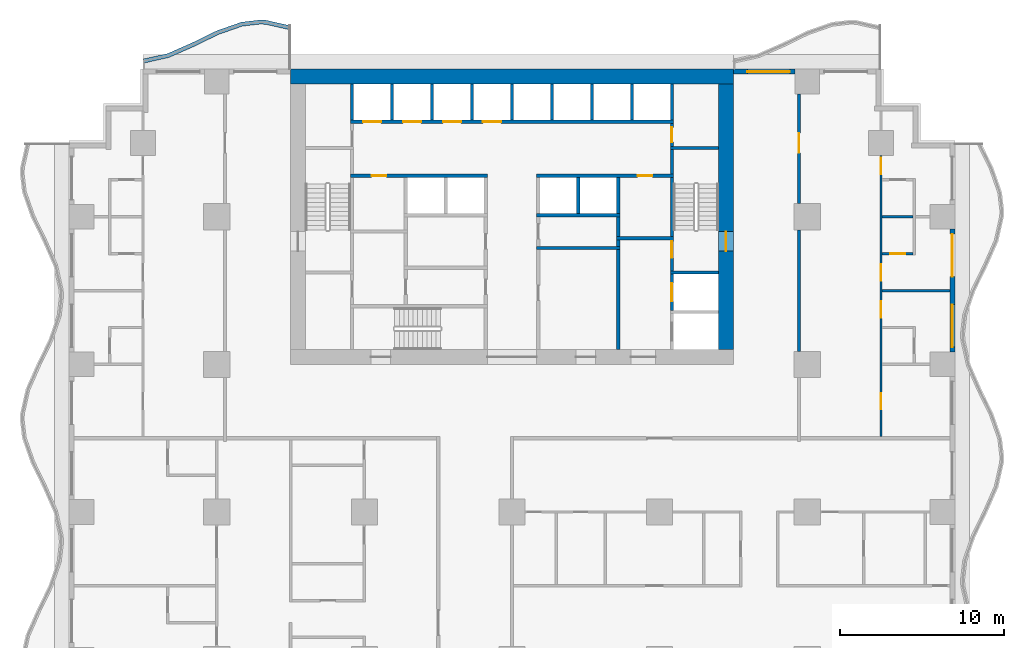
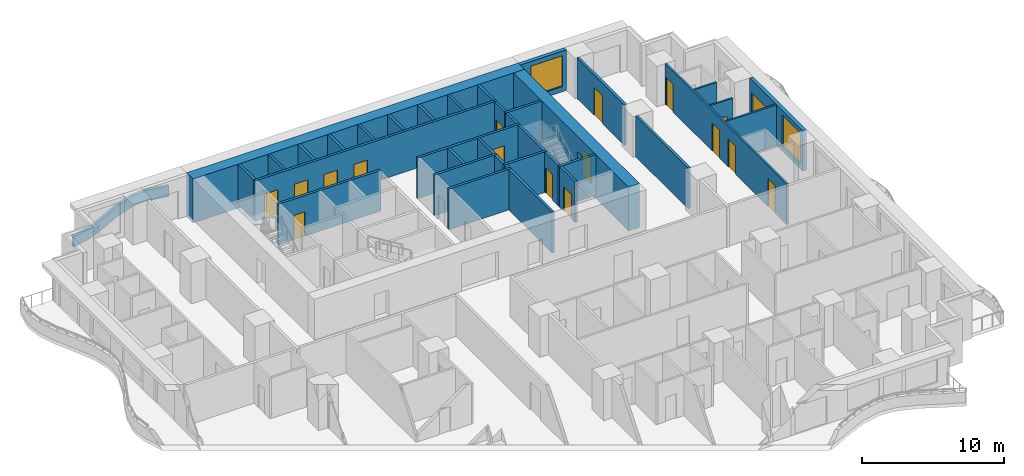
# One storey, part 6 of 14: 38 walls, 17 doors, 2 windows, 19 openings.
"""IFC4 building model written with IfcOpenShell, lengths in metres."""

from ifc_helpers import new_model, si_unit, direction, frame, frame_2d, origin, place, context, subcontext, project, spatial, polyline, rectangle, outline, extrude, material, layer, layer_set, type_object, element, fill, save


model = new_model("IFC4")

# Units and contexts
model_context = context("Model", 3, precision=1e-05, world=origin(), true_north=direction((0.0, 1.0)))
body_context = subcontext(model_context, "Body", "Model", "MODEL_VIEW")
ifc_project = project(units=[si_unit("LENGTHUNIT", "METRE"), si_unit("AREAUNIT", "SQUARE_METRE"), si_unit("VOLUMEUNIT", "CUBIC_METRE"), si_unit("PLANEANGLEUNIT", "RADIAN"), si_unit("MASSUNIT", "GRAM", prefix="KILO")], contexts=[model_context])

# Site, building, storey
site_placement = place(None, origin())
site = spatial("IfcSite", under=ifc_project, at=site_placement, CompositionType="ELEMENT")
building_placement = place(site_placement, origin())
building = spatial("IfcBuilding", under=site, at=building_placement, Name="Orbiselva Terraces", CompositionType="ELEMENT")
storey_placement = place(building_placement, frame((0.0, 0.0, 18.8)))
storey = spatial("IfcBuildingStorey", under=building, at=storey_placement, Name="L04", CompositionType="ELEMENT", Elevation=18.8)

# Wall, opening, door
ifc_material_1 = material(Name="Concrete C80/95", Category="concrete")
ifc_layer_1 = layer(ifc_material_1, 0.9)
ifc_layer_set_1 = layer_set([ifc_layer_1], Name="Concrete C80/95")
wall_type_1 = type_object("IfcWallType", Name="CORE WALL 900", PredefinedType="SHEAR", material=ifc_layer_set_1)
wall_1_placement = place(storey_placement, frame((13.05, 5.4, -0.3), z_axis=(0.0, 0.0, 1.0), x_axis=(0.0, 1.0, 0.0)))
wall_1 = element("IfcWall", 1, at=wall_1_placement, inside=storey, type_object=wall_type_1, Name="Core wall L04 east", PredefinedType="SHEAR", context=body_context, shape_type="SweptSolid", body=[
    extrude(rectangle(XDim=16.2, YDim=0.9, at=frame_2d((8.1, 0.0))), origin(), (0.0, 0.0, 1.0), 3.8),
])
opening_1_placement = place(wall_1_placement, frame((6.0, 0.0, 0.3)))
opening_1 = element("IfcOpeningElement", 2, at=opening_1_placement, cuts=wall_1, Name="Opening DS1200", PredefinedType="OPENING", context=body_context, shape_type="SweptSolid", body=[
    extrude(rectangle(XDim=1.2, YDim=2.2, at=frame_2d((0.6, 1.1))), frame((0.0, 0.46, 0.0), z_axis=(0.0, -1.0, 0.0), x_axis=(1.0, 0.0, 0.0)), (0.0, 0.0, 1.0), 0.92),
])
ifc_material_2 = material(Name="Steel fire door", Category="steel")
door_type_1 = type_object("IfcDoorType", Name="STAIR DOOR 1200", OperationType="NOTDEFINED", PredefinedType="DOOR", material=ifc_material_2)
door_1_placement = place(opening_1_placement, frame((1.2, 0.0, 0.0), z_axis=(0.0, 0.0, 1.0), x_axis=(-1.0, 0.0, 0.0)))
door_1 = element("IfcDoor", 3, at=door_1_placement, inside=storey, type_object=door_type_1, Name="L04 EXIT STAIR S2 door", OperationType="SINGLE_SWING_LEFT", OverallHeight=2.2, OverallWidth=1.2, PredefinedType="DOOR", context=body_context, shape_type="SweptSolid", body=[
    extrude(rectangle(XDim=1.2, YDim=2.2, at=frame_2d((0.6, 1.1))), frame((0.0, 0.025, 0.0), z_axis=(0.0, -1.0, 0.0), x_axis=(1.0, 0.0, 0.0)), (0.0, 0.0, 1.0), 0.05),
])
fill(opening_1, door_1)

# Walls
ifc_layer_2 = layer(ifc_material_1, 0.9)
ifc_layer_set_2 = layer_set([ifc_layer_2], Name="Concrete C80/95")
wall_type_2 = type_object("IfcWallType", Name="CORE WALL 900 EXTERNAL", PredefinedType="SHEAR", material=ifc_layer_set_2)
wall_2_placement = place(storey_placement, frame((13.5, 22.05, -0.3), z_axis=(0.0, 0.0, 1.0), x_axis=(-1.0, 0.0, 0.0)))
element("IfcWall", 4, at=wall_2_placement, inside=storey, type_object=wall_type_2, Name="Core wall L04 north", PredefinedType="SHEAR", context=body_context, shape_type="SweptSolid", body=[
    extrude(rectangle(XDim=27.0, YDim=0.9, at=frame_2d((13.5, 0.0))), origin(), (0.0, 0.0, 1.0), 3.8),
])
ifc_material_3 = material(Name="Masonry blockwork", Category="masonry")
ifc_layer_3 = layer(ifc_material_3, 0.2)
ifc_layer_set_3 = layer_set([ifc_layer_3], Name="Masonry blockwork")
wall_type_3 = type_object("IfcWallType", Name="CORE-WALL-PARTITION-200", PredefinedType="PARTITIONING", material=ifc_layer_set_3)
wall_3_placement = place(storey_placement, frame((6.475, 12.3, 0.0), z_axis=(0.0, 0.0, 1.0), x_axis=(0.0, 1.0, 0.0)))
element("IfcWall", 5, at=wall_3_placement, inside=storey, type_object=wall_type_3, Name="L04 core wall 41", PredefinedType="PARTITIONING", context=body_context, shape_type="SweptSolid", body=[
    extrude(rectangle(XDim=1.2, YDim=0.2, at=frame_2d((0.6, 0.0))), origin(), (0.0, 0.0, 1.0), 3.5),
])

# Wall, opening, door
wall_4_placement = place(storey_placement, frame((9.75, 19.2, 0.0), z_axis=(0.0, 0.0, 1.0), x_axis=(0.0, -1.0, 0.0)))
wall_4 = element("IfcWall", 6, at=wall_4_placement, inside=storey, type_object=wall_type_3, Name="L04 core wall 52", PredefinedType="PARTITIONING", context=body_context, shape_type="SweptSolid", body=[
    extrude(rectangle(XDim=1.4, YDim=0.2, at=frame_2d((0.7, 0.0))), origin(), (0.0, 0.0, 1.0), 3.5),
])
opening_2_placement = place(wall_4_placement, frame((0.25, 0.0, 0.0)))
opening_2 = element("IfcOpeningElement", 7, at=opening_2_placement, cuts=wall_4, Name="Opening DR900", PredefinedType="OPENING", context=body_context, shape_type="SweptSolid", body=[
    extrude(rectangle(XDim=0.9, YDim=2.1, at=frame_2d((0.45, 1.05))), frame((0.0, 0.11, 0.0), z_axis=(0.0, -1.0, 0.0), x_axis=(1.0, 0.0, 0.0)), (0.0, 0.0, 1.0), 0.22),
])
door_type_2 = type_object("IfcDoorType", Name="ROOM DOOR 900", OperationType="NOTDEFINED", PredefinedType="DOOR", material=ifc_material_2)
door_2_placement = place(opening_2_placement, origin())
door_2 = element("IfcDoor", 8, at=door_2_placement, inside=storey, type_object=door_type_2, Name="L04 COMMS RISER ROOM door", OperationType="SINGLE_SWING_RIGHT", OverallHeight=2.1, OverallWidth=0.9, PredefinedType="DOOR", context=body_context, shape_type="SweptSolid", body=[
    extrude(rectangle(XDim=0.9, YDim=2.1, at=frame_2d((0.45, 1.05))), frame((0.0, 0.025, 0.0), z_axis=(0.0, -1.0, 0.0), x_axis=(1.0, 0.0, 0.0)), (0.0, 0.0, 1.0), 0.05),
])
fill(opening_2, door_2)

# Walls
ifc_material_4 = material(Name="Concrete C40/50", Category="concrete")
ifc_layer_4 = layer(ifc_material_4, 0.2)
ifc_layer_set_4 = layer_set([ifc_layer_4], Name="Concrete C40/50")
wall_type_4 = type_object("IfcWallType", Name="CORE-WALL-SHAFT-200", PredefinedType="PARTITIONING", material=ifc_layer_set_4)
for number, where, z_axis, x_axis, name in (
    (9, (-9.75, 19.4, 0.0), (0.0, 0.0, 1.0), (0.0, 1.0, 0.0), "L04 core wall 13"),
    (10, (-7.3125, 19.4, 0.0), (0.0, 0.0, 1.0), (0.0, 1.0, 0.0), "L04 core wall 14"),
    (11, (-4.875, 19.4, 0.0), (0.0, 0.0, 1.0), (0.0, 1.0, 0.0), "L04 core wall 21"),
    (12, (-2.4375, 19.4, 0.0), (0.0, 0.0, 1.0), (0.0, 1.0, 0.0), "L04 core wall 23"),
    (13, (0.0, 19.4, 0.0), (0.0, 0.0, 1.0), (0.0, 1.0, 0.0), "L04 core wall 28"),
    (14, (2.4375, 19.4, 0.0), (0.0, 0.0, 1.0), (0.0, 1.0, 0.0), "L04 core wall 35"),
    (15, (4.0375, 13.7, 0.0), (0.0, 0.0, 1.0), (0.0, 1.0, 0.0), "L04 core wall 36"),
    (16, (4.875, 19.4, 0.0), (0.0, 0.0, 1.0), (0.0, 1.0, 0.0), "L04 core wall 37"),
    (17, (6.475, 13.7, 0.0), (0.0, 0.0, 1.0), (0.0, 1.0, 0.0), "L04 core wall 42"),
    (18, (7.3125, 19.4, 0.0), (0.0, 0.0, 1.0), (0.0, 1.0, 0.0), "L04 core wall 43"),
    (19, (9.75, 19.4, 0.0), (0.0, 0.0, 1.0), (0.0, 1.0, 0.0), "L04 core wall 53"),
):
    element("IfcWall", number, at=place(storey_placement, frame(where, z_axis=z_axis, x_axis=x_axis)), inside=storey, type_object=wall_type_4, Name=name, PredefinedType="PARTITIONING", context=body_context, shape_type="SweptSolid", body=[
        extrude(rectangle(XDim=2.2, YDim=0.2, at=frame_2d((1.1, 0.0))), origin(), (0.0, 0.0, 1.0), 3.5),
    ])

# Wall, opening, door
ifc_material_5 = material(Name="Concrete C60/75", Category="concrete")
ifc_layer_5 = layer(ifc_material_5, 0.2)
ifc_layer_set_5 = layer_set([ifc_layer_5], Name="Concrete C60/75")
wall_type_5 = type_object("IfcWallType", Name="CORE-WALL-SHEAR-200", PredefinedType="SHEAR", material=ifc_layer_set_5)
wall_5_placement = place(storey_placement, frame((-1.5, 16.0, 0.0), z_axis=(0.0, 0.0, 1.0), x_axis=(-1.0, 0.0, 0.0)))
wall_5 = element("IfcWall", 20, at=wall_5_placement, inside=storey, type_object=wall_type_5, Name="L04 core wall 09", PredefinedType="SHEAR", context=body_context, shape_type="SweptSolid", body=[
    extrude(rectangle(XDim=8.35, YDim=0.2, at=frame_2d((4.175, 0.0))), origin(), (0.0, 0.0, 1.0), 3.5),
])
opening_3_placement = place(wall_5_placement, frame((6.1625, 0.0, 0.0)))
opening_3 = element("IfcOpeningElement", 21, at=opening_3_placement, cuts=wall_5, Name="Opening DR900", PredefinedType="OPENING", context=body_context, shape_type="SweptSolid", body=[
    extrude(rectangle(XDim=0.9, YDim=2.1, at=frame_2d((0.45, 1.05))), frame((0.0, 0.11, 0.0), z_axis=(0.0, -1.0, 0.0), x_axis=(1.0, 0.0, 0.0)), (0.0, 0.0, 1.0), 0.22),
])
door_3_placement = place(opening_3_placement, origin())
door_3 = element("IfcDoor", 22, at=door_3_placement, inside=storey, type_object=door_type_2, Name="L04 IT ROOM door", OperationType="SINGLE_SWING_RIGHT", OverallHeight=2.1, OverallWidth=0.9, PredefinedType="DOOR", context=body_context, shape_type="SweptSolid", body=[
    extrude(rectangle(XDim=0.9, YDim=2.1, at=frame_2d((0.45, 1.05))), frame((0.0, 0.025, 0.0), z_axis=(0.0, -1.0, 0.0), x_axis=(1.0, 0.0, 0.0)), (0.0, 0.0, 1.0), 0.05),
])
fill(opening_3, door_3)

# Wall, openings, doors
wall_6_placement = place(storey_placement, frame((-9.85, 19.3, 0.0), z_axis=(0.0, 0.0, 1.0), x_axis=(1.0, 0.0, 0.0)))
wall_6 = element("IfcWall", 23, at=wall_6_placement, inside=storey, type_object=wall_type_5, Name="L04 core wall 12", PredefinedType="SHEAR", context=body_context, shape_type="SweptSolid", body=[
    extrude(rectangle(XDim=19.7, YDim=0.2, at=frame_2d((9.85, 0.0))), origin(), (0.0, 0.0, 1.0), 3.5),
])
opening_4_placement = place(wall_6_placement, frame((0.76875, 0.0, 0.0)))
opening_4 = element("IfcOpeningElement", 24, at=opening_4_placement, cuts=wall_6, Name="Opening LD-LR1", PredefinedType="OPENING", context=body_context, shape_type="SweptSolid", body=[
    extrude(rectangle(XDim=1.1, YDim=2.1, at=frame_2d((0.55, 1.05))), frame((0.0, 0.11, 0.0), z_axis=(0.0, -1.0, 0.0), x_axis=(1.0, 0.0, 0.0)), (0.0, 0.0, 1.0), 0.22),
])
opening_5_placement = place(wall_6_placement, frame((3.20625, 0.0, 0.0)))
opening_5 = element("IfcOpeningElement", 25, at=opening_5_placement, cuts=wall_6, Name="Opening LD-LR2", PredefinedType="OPENING", context=body_context, shape_type="SweptSolid", body=[
    extrude(rectangle(XDim=1.1, YDim=2.1, at=frame_2d((0.55, 1.05))), frame((0.0, 0.11, 0.0), z_axis=(0.0, -1.0, 0.0), x_axis=(1.0, 0.0, 0.0)), (0.0, 0.0, 1.0), 0.22),
])
opening_6_placement = place(wall_6_placement, frame((5.64375, 0.0, 0.0)))
opening_6 = element("IfcOpeningElement", 26, at=opening_6_placement, cuts=wall_6, Name="Opening LD-LR3", PredefinedType="OPENING", context=body_context, shape_type="SweptSolid", body=[
    extrude(rectangle(XDim=1.1, YDim=2.1, at=frame_2d((0.55, 1.05))), frame((0.0, 0.11, 0.0), z_axis=(0.0, -1.0, 0.0), x_axis=(1.0, 0.0, 0.0)), (0.0, 0.0, 1.0), 0.22),
])
opening_7_placement = place(wall_6_placement, frame((8.08125, 0.0, 0.0)))
opening_7 = element("IfcOpeningElement", 27, at=opening_7_placement, cuts=wall_6, Name="Opening LD-LR4", PredefinedType="OPENING", context=body_context, shape_type="SweptSolid", body=[
    extrude(rectangle(XDim=1.1, YDim=2.1, at=frame_2d((0.55, 1.05))), frame((0.0, 0.11, 0.0), z_axis=(0.0, -1.0, 0.0), x_axis=(1.0, 0.0, 0.0)), (0.0, 0.0, 1.0), 0.22),
])
ifc_material_6 = material(Name="Stainless steel landing door", Category="steel")
door_type_3 = type_object("IfcDoorType", Name="LANDING DOOR 1100", OperationType="SLIDING_TO_LEFT", PredefinedType="DOOR", material=ifc_material_6)
door_4_placement = place(opening_4_placement, origin())
door_4 = element("IfcDoor", 28, at=door_4_placement, inside=storey, type_object=door_type_3, Name="L04 landing door LR1", OperationType="SLIDING_TO_LEFT", OverallHeight=2.1, OverallWidth=1.1, PredefinedType="DOOR", context=body_context, shape_type="SweptSolid", body=[
    extrude(rectangle(XDim=1.1, YDim=2.1, at=frame_2d((0.55, 1.05))), frame((0.0, 0.025, 0.0), z_axis=(0.0, -1.0, 0.0), x_axis=(1.0, 0.0, 0.0)), (0.0, 0.0, 1.0), 0.05),
])
fill(opening_4, door_4)
door_5_placement = place(opening_5_placement, origin())
door_5 = element("IfcDoor", 29, at=door_5_placement, inside=storey, type_object=door_type_3, Name="L04 landing door LR2", OperationType="SLIDING_TO_LEFT", OverallHeight=2.1, OverallWidth=1.1, PredefinedType="DOOR", context=body_context, shape_type="SweptSolid", body=[
    extrude(rectangle(XDim=1.1, YDim=2.1, at=frame_2d((0.55, 1.05))), frame((0.0, 0.025, 0.0), z_axis=(0.0, -1.0, 0.0), x_axis=(1.0, 0.0, 0.0)), (0.0, 0.0, 1.0), 0.05),
])
fill(opening_5, door_5)
door_6_placement = place(opening_6_placement, origin())
door_6 = element("IfcDoor", 30, at=door_6_placement, inside=storey, type_object=door_type_3, Name="L04 landing door LR3", OperationType="SLIDING_TO_LEFT", OverallHeight=2.1, OverallWidth=1.1, PredefinedType="DOOR", context=body_context, shape_type="SweptSolid", body=[
    extrude(rectangle(XDim=1.1, YDim=2.1, at=frame_2d((0.55, 1.05))), frame((0.0, 0.025, 0.0), z_axis=(0.0, -1.0, 0.0), x_axis=(1.0, 0.0, 0.0)), (0.0, 0.0, 1.0), 0.05),
])
fill(opening_6, door_6)
door_7_placement = place(opening_7_placement, origin())
door_7 = element("IfcDoor", 31, at=door_7_placement, inside=storey, type_object=door_type_3, Name="L04 landing door LR4", OperationType="SLIDING_TO_LEFT", OverallHeight=2.1, OverallWidth=1.1, PredefinedType="DOOR", context=body_context, shape_type="SweptSolid", body=[
    extrude(rectangle(XDim=1.1, YDim=2.1, at=frame_2d((0.55, 1.05))), frame((0.0, 0.025, 0.0), z_axis=(0.0, -1.0, 0.0), x_axis=(1.0, 0.0, 0.0)), (0.0, 0.0, 1.0), 0.05),
])
fill(opening_7, door_7)

# Walls
for number, where, z_axis, x_axis, name in (
    (32, (1.5, 11.6, 0.0), (0.0, 0.0, 1.0), (1.0, 0.0, 0.0), "L04 core wall 30"),
    (33, (1.5, 13.6, 0.0), (0.0, 0.0, 1.0), (1.0, 0.0, 0.0), "L04 core wall 32"),
):
    element("IfcWall", number, at=place(storey_placement, frame(where, z_axis=z_axis, x_axis=x_axis)), inside=storey, type_object=wall_type_5, Name=name, PredefinedType="SHEAR", context=body_context, shape_type="SweptSolid", body=[
        extrude(rectangle(XDim=5.075, YDim=0.2, at=frame_2d((2.5375, 0.0))), origin(), (0.0, 0.0, 1.0), 3.5),
    ])

# Wall, opening, door
wall_7_placement = place(storey_placement, frame((9.85, 16.0, 0.0), z_axis=(0.0, 0.0, 1.0), x_axis=(-1.0, 0.0, 0.0)))
wall_7 = element("IfcWall", 34, at=wall_7_placement, inside=storey, type_object=wall_type_5, Name="L04 core wall 34", PredefinedType="SHEAR", context=body_context, shape_type="SweptSolid", body=[
    extrude(rectangle(XDim=8.35, YDim=0.2, at=frame_2d((4.175, 0.0))), origin(), (0.0, 0.0, 1.0), 3.5),
])
opening_8_placement = place(wall_7_placement, frame((1.2875, 0.0, 0.0)))
opening_8 = element("IfcOpeningElement", 35, at=opening_8_placement, cuts=wall_7, Name="Opening DR900", PredefinedType="OPENING", context=body_context, shape_type="SweptSolid", body=[
    extrude(rectangle(XDim=0.9, YDim=2.1, at=frame_2d((0.45, 1.05))), frame((0.0, 0.11, 0.0), z_axis=(0.0, -1.0, 0.0), x_axis=(1.0, 0.0, 0.0)), (0.0, 0.0, 1.0), 0.22),
])
door_8_placement = place(opening_8_placement, origin())
door_8 = element("IfcDoor", 36, at=door_8_placement, inside=storey, type_object=door_type_2, Name="L04 PIPE RISER ROOM door", OperationType="SINGLE_SWING_LEFT", OverallHeight=2.1, OverallWidth=0.9, PredefinedType="DOOR", context=body_context, shape_type="SweptSolid", body=[
    extrude(rectangle(XDim=0.9, YDim=2.1, at=frame_2d((0.45, 1.05))), frame((0.0, 0.025, 0.0), z_axis=(0.0, -1.0, 0.0), x_axis=(1.0, 0.0, 0.0)), (0.0, 0.0, 1.0), 0.05),
])
fill(opening_8, door_8)

# Walls
wall_8_placement = place(storey_placement, frame((6.475, 5.4, 0.0), z_axis=(0.0, 0.0, 1.0), x_axis=(0.0, 1.0, 0.0)))
element("IfcWall", 37, at=wall_8_placement, inside=storey, type_object=wall_type_5, Name="L04 core wall 38", PredefinedType="SHEAR", context=body_context, shape_type="SweptSolid", body=[
    extrude(rectangle(XDim=6.1, YDim=0.2, at=frame_2d((3.05, 0.0))), origin(), (0.0, 0.0, 1.0), 3.5),
])
wall_9_placement = place(storey_placement, frame((6.475, 11.7, 0.0), z_axis=(0.0, 0.0, 1.0), x_axis=(0.0, 1.0, 0.0)))
element("IfcWall", 38, at=wall_9_placement, inside=storey, type_object=wall_type_5, Name="L04 core wall 39", PredefinedType="SHEAR", context=body_context, shape_type="SweptSolid", body=[
    extrude(rectangle(XDim=0.4, YDim=0.2, at=frame_2d((0.2, 0.0))), origin(), (0.0, 0.0, 1.0), 3.5),
])
wall_10_placement = place(storey_placement, frame((6.375, 12.2, 0.0), z_axis=(0.0, 0.0, 1.0), x_axis=(1.0, 0.0, 0.0)))
element("IfcWall", 39, at=wall_10_placement, inside=storey, type_object=wall_type_5, Name="L04 core wall 40", PredefinedType="SHEAR", context=body_context, shape_type="SweptSolid", body=[
    extrude(rectangle(XDim=3.475, YDim=0.2, at=frame_2d((1.7375, 0.0))), origin(), (0.0, 0.0, 1.0), 3.5),
])

# Wall, opening, door
wall_11_placement = place(storey_placement, frame((9.75, 7.8, 0.0), z_axis=(0.0, 0.0, 1.0), x_axis=(0.0, 1.0, 0.0)))
wall_11 = element("IfcWall", 40, at=wall_11_placement, inside=storey, type_object=wall_type_5, Name="L04 core wall 46", PredefinedType="SHEAR", context=body_context, shape_type="SweptSolid", body=[
    extrude(rectangle(XDim=2.2, YDim=0.2, at=frame_2d((1.1, 0.0))), origin(), (0.0, 0.0, 1.0), 3.5),
])
opening_9_placement = place(wall_11_placement, frame((0.55, 0.0, 0.0)))
opening_9 = element("IfcOpeningElement", 41, at=opening_9_placement, cuts=wall_11, Name="Opening LD-FF2", PredefinedType="OPENING", context=body_context, shape_type="SweptSolid", body=[
    extrude(rectangle(XDim=1.1, YDim=2.1, at=frame_2d((0.55, 1.05))), frame((0.0, 0.11, 0.0), z_axis=(0.0, -1.0, 0.0), x_axis=(1.0, 0.0, 0.0)), (0.0, 0.0, 1.0), 0.22),
])
door_9_placement = place(opening_9_placement, origin())
door_9 = element("IfcDoor", 42, at=door_9_placement, inside=storey, type_object=door_type_3, Name="L04 landing door FF2", OperationType="SLIDING_TO_RIGHT", OverallHeight=2.1, OverallWidth=1.1, PredefinedType="DOOR", context=body_context, shape_type="SweptSolid", body=[
    extrude(rectangle(XDim=1.1, YDim=2.1, at=frame_2d((0.55, 1.05))), frame((0.0, 0.025, 0.0), z_axis=(0.0, -1.0, 0.0), x_axis=(1.0, 0.0, 0.0)), (0.0, 0.0, 1.0), 0.05),
])
fill(opening_9, door_9)

# Wall
wall_12_placement = place(storey_placement, frame((9.65, 10.1, 0.0), z_axis=(0.0, 0.0, 1.0), x_axis=(1.0, 0.0, 0.0)))
element("IfcWall", 43, at=wall_12_placement, inside=storey, type_object=wall_type_5, Name="L04 core wall 47", PredefinedType="SHEAR", context=body_context, shape_type="SweptSolid", body=[
    extrude(rectangle(XDim=2.95, YDim=0.2, at=frame_2d((1.475, 0.0))), origin(), (0.0, 0.0, 1.0), 3.5),
])

# Wall, opening, door
wall_13_placement = place(storey_placement, frame((9.75, 12.1, 0.0), z_axis=(0.0, 0.0, 1.0), x_axis=(0.0, -1.0, 0.0)))
wall_13 = element("IfcWall", 44, at=wall_13_placement, inside=storey, type_object=wall_type_5, Name="L04 core wall 48", PredefinedType="SHEAR", context=body_context, shape_type="SweptSolid", body=[
    extrude(rectangle(XDim=1.9, YDim=0.2, at=frame_2d((0.95, 0.0))), origin(), (0.0, 0.0, 1.0), 3.5),
])
opening_10_placement = place(wall_13_placement, frame((0.1, 0.0, 0.0)))
opening_10 = element("IfcOpeningElement", 45, at=opening_10_placement, cuts=wall_13, Name="Opening DS1000", PredefinedType="OPENING", context=body_context, shape_type="SweptSolid", body=[
    extrude(rectangle(XDim=1.0, YDim=2.2, at=frame_2d((0.5, 1.1))), frame((0.0, 0.11, 0.0), z_axis=(0.0, -1.0, 0.0), x_axis=(1.0, 0.0, 0.0)), (0.0, 0.0, 1.0), 0.22),
])
door_type_4 = type_object("IfcDoorType", Name="STAIR DOOR 1000", OperationType="NOTDEFINED", PredefinedType="DOOR", material=ifc_material_2)
door_10_placement = place(opening_10_placement, origin())
door_10 = element("IfcDoor", 46, at=door_10_placement, inside=storey, type_object=door_type_4, Name="L04 FIRE-FIGHTING LOBBY TO EXIT STAIR S2 door", OperationType="SINGLE_SWING_LEFT", OverallHeight=2.2, OverallWidth=1.0, PredefinedType="DOOR", context=body_context, shape_type="SweptSolid", body=[
    extrude(rectangle(XDim=1.0, YDim=2.2, at=frame_2d((0.5, 1.1))), frame((0.0, 0.025, 0.0), z_axis=(0.0, -1.0, 0.0), x_axis=(1.0, 0.0, 0.0)), (0.0, 0.0, 1.0), 0.05),
])
fill(opening_10, door_10)

# Walls
wall_14_placement = place(storey_placement, frame((9.75, 12.3, 0.0), z_axis=(0.0, 0.0, 1.0), x_axis=(0.0, 1.0, 0.0)))
element("IfcWall", 47, at=wall_14_placement, inside=storey, type_object=wall_type_5, Name="L04 core wall 49", PredefinedType="SHEAR", context=body_context, shape_type="SweptSolid", body=[
    extrude(rectangle(XDim=3.6, YDim=0.2, at=frame_2d((1.8, 0.0))), origin(), (0.0, 0.0, 1.0), 3.5),
])
wall_15_placement = place(storey_placement, frame((9.75, 16.1, 0.0), z_axis=(0.0, 0.0, 1.0), x_axis=(0.0, 1.0, 0.0)))
element("IfcWall", 48, at=wall_15_placement, inside=storey, type_object=wall_type_5, Name="L04 core wall 50", PredefinedType="SHEAR", context=body_context, shape_type="SweptSolid", body=[
    extrude(rectangle(XDim=1.5, YDim=0.2, at=frame_2d((0.75, 0.0))), origin(), (0.0, 0.0, 1.0), 3.5),
])
wall_16_placement = place(storey_placement, frame((9.65, 17.7, 0.0), z_axis=(0.0, 0.0, 1.0), x_axis=(1.0, 0.0, 0.0)))
element("IfcWall", 49, at=wall_16_placement, inside=storey, type_object=wall_type_5, Name="L04 core wall 51", PredefinedType="SHEAR", context=body_context, shape_type="SweptSolid", body=[
    extrude(rectangle(XDim=2.95, YDim=0.2, at=frame_2d((1.475, 0.0))), origin(), (0.0, 0.0, 1.0), 3.5),
])
ifc_layer_6 = layer(ifc_material_4, 0.25)
ifc_layer_set_6 = layer_set([ifc_layer_6], Name="Concrete C40/50")
wall_type_6 = type_object("IfcWallType", Name="ENV-PLANTER-250x900", PredefinedType="USERDEFINED", material=ifc_layer_set_6)
wall_17_placement = place(storey_placement, origin())
element("IfcWall", 50, at=wall_17_placement, inside=storey, type_object=wall_type_6, Name="Balcony planter L04 NW", ObjectType="PLANTER", PredefinedType="USERDEFINED", context=body_context, shape_type="SweptSolid", body=[
    extrude(outline(polyline([(-13.5, 25.148528), (-15.0, 25.485226), (-15.375, 25.5), (-16.5, 25.369208), (-18.0, 24.844789), (-19.5, 24.112279), (-21.0, 23.451472), (-22.5, 23.114774), (-22.445246, 22.870844), (-20.921492, 23.212874), (-19.394714, 23.885477), (-17.90356, 24.613667), (-16.443629, 25.124078), (-15.365428, 25.249429), (-15.032565, 25.236315), (-13.554754, 24.904598), (-13.5, 25.148528)])), origin(), (0.0, 0.0, 1.0), 0.9),
])

# Wall, openings, door, window
ifc_material_7 = material(Name="Terracotta cladding on masonry backing", Category="masonry")
ifc_layer_7 = layer(ifc_material_7, 0.3)
ifc_layer_set_7 = layer_set([ifc_layer_7], Name="Terracotta cladding on masonry backing")
wall_type_7 = type_object("IfcWallType", Name="ENV-WALL-TERRACOTTA-300", PredefinedType="SOLIDWALL", material=ifc_layer_set_7)
wall_18_placement = place(storey_placement, frame((26.85, 12.75, 0.0), z_axis=(0.0, 0.0, 1.0), x_axis=(0.0, -1.0, 0.0)))
wall_18 = element("IfcWall", 51, at=wall_18_placement, inside=storey, type_object=wall_type_7, Name="Facade wall L04 E", PredefinedType="SOLIDWALL", context=body_context, shape_type="SweptSolid", body=[
    extrude(rectangle(XDim=7.5, YDim=0.3, at=frame_2d((3.75, 0.0))), origin(), (0.0, 0.0, 1.0), 3.5),
])
opening_11_placement = place(wall_18_placement, frame((4.6, 0.0, 0.45)))
opening_11 = element("IfcOpeningElement", 52, at=opening_11_placement, cuts=wall_18, Name="Opening WN1", PredefinedType="OPENING", context=body_context, shape_type="SweptSolid", body=[
    extrude(rectangle(XDim=2.6, YDim=2.65, at=frame_2d((1.3, 1.325))), frame((0.0, 0.16, 0.0), z_axis=(0.0, -1.0, 0.0), x_axis=(1.0, 0.0, 0.0)), (0.0, 0.0, 1.0), 0.32),
])
opening_12_placement = place(wall_18_placement, frame((0.3, 0.0, 0.0)))
opening_12 = element("IfcOpeningElement", 53, at=opening_12_placement, cuts=wall_18, Name="Opening Z1-A-E15", PredefinedType="OPENING", context=body_context, shape_type="SweptSolid", body=[
    extrude(rectangle(XDim=2.6, YDim=2.4, at=frame_2d((1.3, 1.2))), frame((0.0, 0.16, 0.0), z_axis=(0.0, -1.0, 0.0), x_axis=(1.0, 0.0, 0.0)), (0.0, 0.0, 1.0), 0.32),
])
ifc_material_8 = material(Name="Clear low-e glazing in aluminium frame", Category="aluminium")
door_type_5 = type_object("IfcDoorType", Name="BALCONY DOOR 2600 X 2400", OperationType="DOUBLE_DOOR_SLIDING", PredefinedType="DOOR", material=ifc_material_8)
door_11_placement = place(opening_12_placement, origin())
door_11 = element("IfcDoor", 54, at=door_11_placement, inside=storey, type_object=door_type_5, Name="Z1-A-E15", OperationType="SINGLE_SWING_LEFT", OverallHeight=2.4, OverallWidth=2.6, PredefinedType="DOOR", context=body_context, shape_type="SweptSolid", body=[
    extrude(rectangle(XDim=2.6, YDim=2.4, at=frame_2d((1.3, 1.2))), frame((0.0, 0.025, 0.0), z_axis=(0.0, -1.0, 0.0), x_axis=(1.0, 0.0, 0.0)), (0.0, 0.0, 1.0), 0.05),
])
fill(opening_12, door_11)
window_type = type_object("IfcWindowType", Name="WINDOW 2600 X 2650 S450", PartitioningType="TRIPLE_PANEL_VERTICAL", PredefinedType="WINDOW", material=ifc_material_8)
window_1_placement = place(opening_11_placement, origin())
window_1 = element("IfcWindow", 55, at=window_1_placement, inside=storey, type_object=window_type, Name="Window L04 E", OverallHeight=2.65, OverallWidth=2.6, PartitioningType="SINGLE_PANEL", PredefinedType="WINDOW", context=body_context, shape_type="SweptSolid", body=[
    extrude(rectangle(XDim=2.6, YDim=2.65, at=frame_2d((1.3, 1.325))), frame((0.0, 0.03, 0.0), z_axis=(0.0, -1.0, 0.0), x_axis=(1.0, 0.0, 0.0)), (0.0, 0.0, 1.0), 0.06),
])
fill(opening_11, window_1)

# Wall, opening, window
wall_19_placement = place(storey_placement, frame((13.5, 22.35, 0.0), z_axis=(0.0, 0.0, 1.0), x_axis=(1.0, 0.0, 0.0)))
wall_19 = element("IfcWall", 56, at=wall_19_placement, inside=storey, type_object=wall_type_7, Name="Facade wall L04 NE", PredefinedType="SOLIDWALL", context=body_context, shape_type="SweptSolid", body=[
    extrude(rectangle(XDim=3.75, YDim=0.3, at=frame_2d((1.875, 0.0))), origin(), (0.0, 0.0, 1.0), 3.5),
])
opening_13_placement = place(wall_19_placement, frame((0.85, 0.0, 0.45)))
opening_13 = element("IfcOpeningElement", 57, at=opening_13_placement, cuts=wall_19, Name="Opening WN1", PredefinedType="OPENING", context=body_context, shape_type="SweptSolid", body=[
    extrude(rectangle(XDim=2.6, YDim=2.65, at=frame_2d((1.3, 1.325))), frame((0.0, 0.16, 0.0), z_axis=(0.0, -1.0, 0.0), x_axis=(1.0, 0.0, 0.0)), (0.0, 0.0, 1.0), 0.32),
])
window_2_placement = place(opening_13_placement, origin())
window_2 = element("IfcWindow", 58, at=window_2_placement, inside=storey, type_object=window_type, Name="Window L04 NE", OverallHeight=2.65, OverallWidth=2.6, PartitioningType="SINGLE_PANEL", PredefinedType="WINDOW", context=body_context, shape_type="SweptSolid", body=[
    extrude(rectangle(XDim=2.6, YDim=2.65, at=frame_2d((1.3, 1.325))), frame((0.0, 0.03, 0.0), z_axis=(0.0, -1.0, 0.0), x_axis=(1.0, 0.0, 0.0)), (0.0, 0.0, 1.0), 0.06),
])
fill(opening_13, window_2)

# Wall
ifc_material_9 = material(Name="Plasterboard on steel stud partition", Category="steel")
ifc_layer_8 = layer(ifc_material_9, 0.2)
ifc_layer_set_8 = layer_set([ifc_layer_8], Name="Plasterboard on steel stud partition")
wall_type_8 = type_object("IfcWallType", Name="UNIT-ENTRANCE-WALL-200", PredefinedType="PARTITIONING", material=ifc_layer_set_8)
wall_20_placement = place(storey_placement, frame((17.5, 5.3, 0.0), z_axis=(0.0, 0.0, 1.0), x_axis=(0.0, 1.0, 0.0)))
element("IfcWall", 59, at=wall_20_placement, inside=storey, type_object=wall_type_8, Name="PARTITION L04-083", PredefinedType="PARTITIONING", context=body_context, shape_type="SweptSolid", body=[
    extrude(rectangle(XDim=7.4, YDim=0.2, at=frame_2d((3.7, 0.0))), origin(), (0.0, 0.0, 1.0), 3.5),
])

# Wall, opening, door
wall_21_placement = place(storey_placement, frame((17.5, 21.0, 0.0), z_axis=(0.0, 0.0, 1.0), x_axis=(0.0, -1.0, 0.0)))
wall_21 = element("IfcWall", 60, at=wall_21_placement, inside=storey, type_object=wall_type_8, Name="PARTITION L04-084", PredefinedType="PARTITIONING", context=body_context, shape_type="SweptSolid", body=[
    extrude(rectangle(XDim=6.7, YDim=0.2, at=frame_2d((3.35, 0.0))), origin(), (0.0, 0.0, 1.0), 3.5),
])
opening_14_placement = place(wall_21_placement, frame((2.4, 0.0, 0.0)))
opening_14 = element("IfcOpeningElement", 61, at=opening_14_placement, cuts=wall_21, Name="Opening Z1-A-09", PredefinedType="OPENING", context=body_context, shape_type="SweptSolid", body=[
    extrude(rectangle(XDim=1.2, YDim=2.4, at=frame_2d((0.6, 1.2))), frame((0.0, 0.11, 0.0), z_axis=(0.0, -1.0, 0.0), x_axis=(1.0, 0.0, 0.0)), (0.0, 0.0, 1.0), 0.22),
])
ifc_material_10 = material(Name="Painted timber door leaf", Category="wood")
door_type_6 = type_object("IfcDoorType", Name="ENTRANCE DOOR 1200", OperationType="NOTDEFINED", PredefinedType="DOOR", material=ifc_material_10)
door_12_placement = place(opening_14_placement, origin())
door_12 = element("IfcDoor", 62, at=door_12_placement, inside=storey, type_object=door_type_6, Name="Z1-A-09", OperationType="SINGLE_SWING_LEFT", OverallHeight=2.4, OverallWidth=1.2, PredefinedType="DOOR", context=body_context, shape_type="SweptSolid", body=[
    extrude(rectangle(XDim=1.2, YDim=2.4, at=frame_2d((0.6, 1.2))), frame((0.0, 0.025, 0.0), z_axis=(0.0, -1.0, 0.0), x_axis=(1.0, 0.0, 0.0)), (0.0, 0.0, 1.0), 0.05),
])
fill(opening_14, door_12)

# Wall
ifc_layer_9 = layer(ifc_material_9, 0.15)
ifc_layer_set_9 = layer_set([ifc_layer_9], Name="Plasterboard on steel stud partition")
wall_type_9 = type_object("IfcWallType", Name="UNIT-PARTITION-150", PredefinedType="PARTITIONING", material=ifc_layer_set_9)
wall_22_placement = place(storey_placement, frame((22.575, 9.0, 0.0), z_axis=(0.0, 0.0, 1.0), x_axis=(1.0, 0.0, 0.0)))
element("IfcWall", 63, at=wall_22_placement, inside=storey, type_object=wall_type_9, Name="PARTITION L04-038", PredefinedType="PARTITIONING", context=body_context, shape_type="SweptSolid", body=[
    extrude(rectangle(XDim=4.125, YDim=0.15, at=frame_2d((2.0625, 0.0))), origin(), (0.0, 0.0, 1.0), 3.5),
])

# Wall, opening, door
wall_23_placement = place(storey_placement, frame((22.575, 11.25, 0.0), z_axis=(0.0, 0.0, 1.0), x_axis=(1.0, 0.0, 0.0)))
wall_23 = element("IfcWall", 64, at=wall_23_placement, inside=storey, type_object=wall_type_9, Name="PARTITION L04-040", PredefinedType="PARTITIONING", context=body_context, shape_type="SweptSolid", body=[
    extrude(rectangle(XDim=1.875, YDim=0.15, at=frame_2d((0.9375, 0.0))), origin(), (0.0, 0.0, 1.0), 3.5),
])
opening_15_placement = place(wall_23_placement, frame((0.5, 0.0, 0.0)))
opening_15 = element("IfcOpeningElement", 65, at=opening_15_placement, cuts=wall_23, Name="Opening Z1-A-14", PredefinedType="OPENING", context=body_context, shape_type="SweptSolid", body=[
    extrude(rectangle(XDim=0.9, YDim=2.1, at=frame_2d((0.45, 1.05))), frame((0.0, 0.085, 0.0), z_axis=(0.0, -1.0, 0.0), x_axis=(1.0, 0.0, 0.0)), (0.0, 0.0, 1.0), 0.17),
])
door_type_7 = type_object("IfcDoorType", Name="BATH DOOR 900", OperationType="NOTDEFINED", PredefinedType="DOOR", material=ifc_material_10)
door_13_placement = place(opening_15_placement, origin())
door_13 = element("IfcDoor", 66, at=door_13_placement, inside=storey, type_object=door_type_7, Name="Z1-A-14", OperationType="SINGLE_SWING_RIGHT", OverallHeight=2.1, OverallWidth=0.9, PredefinedType="DOOR", context=body_context, shape_type="SweptSolid", body=[
    extrude(rectangle(XDim=0.9, YDim=2.1, at=frame_2d((0.45, 1.05))), frame((0.0, 0.025, 0.0), z_axis=(0.0, -1.0, 0.0), x_axis=(1.0, 0.0, 0.0)), (0.0, 0.0, 1.0), 0.05),
])
fill(opening_15, door_13)

# Wall
wall_24_placement = place(storey_placement, frame((22.575, 13.5, 0.0), z_axis=(0.0, 0.0, 1.0), x_axis=(1.0, 0.0, 0.0)))
element("IfcWall", 67, at=wall_24_placement, inside=storey, type_object=wall_type_9, Name="PARTITION L04-043", PredefinedType="PARTITIONING", context=body_context, shape_type="SweptSolid", body=[
    extrude(rectangle(XDim=1.875, YDim=0.15, at=frame_2d((0.9375, 0.0))), origin(), (0.0, 0.0, 1.0), 3.5),
])

# Wall, openings, doors
wall_25_placement = place(storey_placement, frame((22.5, 17.25, 0.0), z_axis=(0.0, 0.0, 1.0), x_axis=(0.0, -1.0, 0.0)))
wall_25 = element("IfcWall", 68, at=wall_25_placement, inside=storey, type_object=wall_type_9, Name="PARTITION L04-088", PredefinedType="PARTITIONING", context=body_context, shape_type="SweptSolid", body=[
    extrude(rectangle(XDim=17.15, YDim=0.15, at=frame_2d((8.575, 0.0))), origin(), (0.0, 0.0, 1.0), 3.5),
])
opening_16_placement = place(wall_25_placement, frame((14.5, 0.0, 0.0)))
opening_16 = element("IfcOpeningElement", 69, at=opening_16_placement, cuts=wall_25, Name="Opening Z1-A-10", PredefinedType="OPENING", context=body_context, shape_type="SweptSolid", body=[
    extrude(rectangle(XDim=1.0, YDim=2.4, at=frame_2d((0.5, 1.2))), frame((0.0, 0.085, 0.0), z_axis=(0.0, -1.0, 0.0), x_axis=(1.0, 0.0, 0.0)), (0.0, 0.0, 1.0), 0.17),
])
opening_17_placement = place(wall_25_placement, frame((8.9, 0.0, 0.0)))
opening_17 = element("IfcOpeningElement", 70, at=opening_17_placement, cuts=wall_25, Name="Opening Z1-A-11", PredefinedType="OPENING", context=body_context, shape_type="SweptSolid", body=[
    extrude(rectangle(XDim=1.0, YDim=2.4, at=frame_2d((0.5, 1.2))), frame((0.0, 0.085, 0.0), z_axis=(0.0, -1.0, 0.0), x_axis=(1.0, 0.0, 0.0)), (0.0, 0.0, 1.0), 0.17),
])
opening_18_placement = place(wall_25_placement, frame((6.65, 0.0, 0.0)))
opening_18 = element("IfcOpeningElement", 71, at=opening_18_placement, cuts=wall_25, Name="Opening Z1-A-13", PredefinedType="OPENING", context=body_context, shape_type="SweptSolid", body=[
    extrude(rectangle(XDim=1.0, YDim=2.4, at=frame_2d((0.5, 1.2))), frame((0.0, 0.085, 0.0), z_axis=(0.0, -1.0, 0.0), x_axis=(1.0, 0.0, 0.0)), (0.0, 0.0, 1.0), 0.17),
])
opening_19_placement = place(wall_25_placement, frame((0.15, 0.0, 0.0)))
opening_19 = element("IfcOpeningElement", 72, at=opening_19_placement, cuts=wall_25, Name="Opening Z1-A-15", PredefinedType="OPENING", context=body_context, shape_type="SweptSolid", body=[
    extrude(rectangle(XDim=1.0, YDim=2.4, at=frame_2d((0.5, 1.2))), frame((0.0, 0.085, 0.0), z_axis=(0.0, -1.0, 0.0), x_axis=(1.0, 0.0, 0.0)), (0.0, 0.0, 1.0), 0.17),
])
door_type_8 = type_object("IfcDoorType", Name="ROOM DOOR 1000", OperationType="NOTDEFINED", PredefinedType="DOOR", material=ifc_material_10)
door_14_placement = place(opening_16_placement, origin())
door_14 = element("IfcDoor", 73, at=door_14_placement, inside=storey, type_object=door_type_8, Name="Z1-A-10", OperationType="SINGLE_SWING_RIGHT", OverallHeight=2.4, OverallWidth=1.0, PredefinedType="DOOR", context=body_context, shape_type="SweptSolid", body=[
    extrude(rectangle(XDim=1.0, YDim=2.4, at=frame_2d((0.5, 1.2))), frame((0.0, 0.025, 0.0), z_axis=(0.0, -1.0, 0.0), x_axis=(1.0, 0.0, 0.0)), (0.0, 0.0, 1.0), 0.05),
])
fill(opening_16, door_14)
door_15_placement = place(opening_17_placement, origin())
door_15 = element("IfcDoor", 74, at=door_15_placement, inside=storey, type_object=door_type_8, Name="Z1-A-11", OperationType="SINGLE_SWING_RIGHT", OverallHeight=2.4, OverallWidth=1.0, PredefinedType="DOOR", context=body_context, shape_type="SweptSolid", body=[
    extrude(rectangle(XDim=1.0, YDim=2.4, at=frame_2d((0.5, 1.2))), frame((0.0, 0.025, 0.0), z_axis=(0.0, -1.0, 0.0), x_axis=(1.0, 0.0, 0.0)), (0.0, 0.0, 1.0), 0.05),
])
fill(opening_17, door_15)
door_16_placement = place(opening_18_placement, origin())
door_16 = element("IfcDoor", 75, at=door_16_placement, inside=storey, type_object=door_type_8, Name="Z1-A-13", OperationType="SINGLE_SWING_LEFT", OverallHeight=2.4, OverallWidth=1.0, PredefinedType="DOOR", context=body_context, shape_type="SweptSolid", body=[
    extrude(rectangle(XDim=1.0, YDim=2.4, at=frame_2d((0.5, 1.2))), frame((0.0, 0.025, 0.0), z_axis=(0.0, -1.0, 0.0), x_axis=(1.0, 0.0, 0.0)), (0.0, 0.0, 1.0), 0.05),
])
fill(opening_18, door_16)
door_17_placement = place(opening_19_placement, origin())
door_17 = element("IfcDoor", 76, at=door_17_placement, inside=storey, type_object=door_type_8, Name="Z1-A-15", OperationType="SINGLE_SWING_LEFT", OverallHeight=2.4, OverallWidth=1.0, PredefinedType="DOOR", context=body_context, shape_type="SweptSolid", body=[
    extrude(rectangle(XDim=1.0, YDim=2.4, at=frame_2d((0.5, 1.2))), frame((0.0, 0.025, 0.0), z_axis=(0.0, -1.0, 0.0), x_axis=(1.0, 0.0, 0.0)), (0.0, 0.0, 1.0), 0.05),
])
fill(opening_19, door_17)

save(model, "model.ifc")
